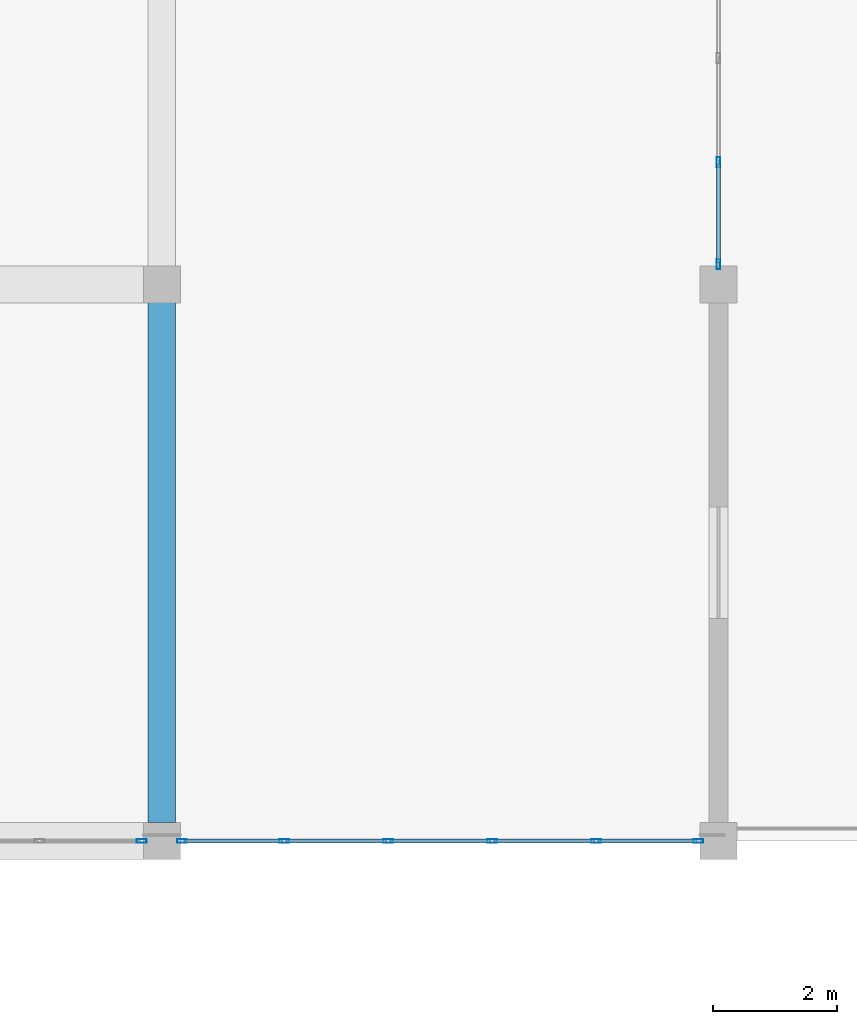
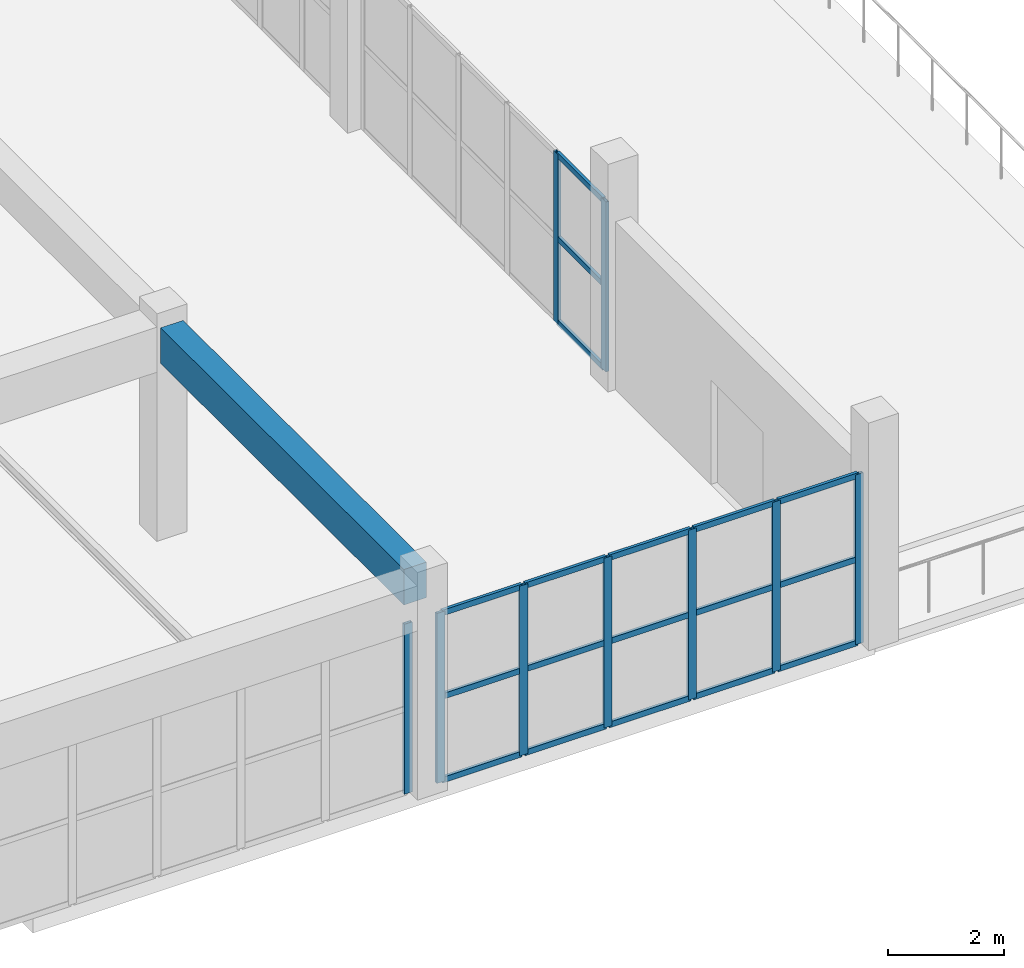
# One storey, part 41 of 89: 27 members, 1 beam, 3 elements without a shape of their own.
"""IFC4 building model written with IfcOpenShell, lengths in metres."""

from ifc_helpers import new_model, si_unit, direction, frame, origin, origin_2d, place, context, subcontext, project, spatial, rectangle, hollow_rectangle, extrude, material, layer, layer_set, material_profile, profile_set, type_object, element, aggregate, save


model = new_model("IFC4")

# Units and contexts
model_context = context("Model", 3, precision=1e-05, world=origin(), true_north=direction((0.0, 1.0)))
body_context = subcontext(model_context, "Body", "Model", "MODEL_VIEW")
ifc_project = project(units=[si_unit("LENGTHUNIT", "METRE"), si_unit("AREAUNIT", "SQUARE_METRE"), si_unit("VOLUMEUNIT", "CUBIC_METRE"), si_unit("PLANEANGLEUNIT", "RADIAN"), si_unit("MASSUNIT", "GRAM", prefix="KILO")], contexts=[model_context])

# Site, building, storey
site_placement = place(None, origin())
site = spatial("IfcSite", under=ifc_project, at=site_placement, CompositionType="ELEMENT")
building_placement = place(site_placement, origin())
building = spatial("IfcBuilding", under=site, at=building_placement, Name="Dornveld Trade and Exhibition Forum", CompositionType="ELEMENT")
storey_placement = place(building_placement, frame((0.0, 0.0, 12.0)))
storey = spatial("IfcBuildingStorey", under=building, at=storey_placement, Name="L02", CompositionType="ELEMENT", Elevation=12.0)

# Beam
ifc_material_1 = material(Name="Precast concrete C50/60", Category="concrete")
ifc_material_profile_1 = material_profile(ifc_material_1, rectangle(XDim=0.449951171875, YDim=0.75, at=origin_2d()), Name="PC-BM 450x750")
ifc_profile_set_1 = profile_set([ifc_material_profile_1], Name="Precast concrete C50/60")
beam_type = type_object("IfcBeamType", Name="BM-PC-450x750", PredefinedType="BEAM", material=ifc_profile_set_1)
beam_placement = place(storey_placement, frame((198.0, 108.2958984375, 4.10302734375), z_axis=(0.0, 1.0, 0.0), x_axis=(-1.0, 0.0, 0.0)))
element("IfcBeam", 1, at=beam_placement, inside=storey, type_object=beam_type, Name="L02 Y-girder 1599", PredefinedType="BEAM", context=body_context, shape_type="SweptSolid", body=[
    extrude(rectangle(XDim=0.449951171875, YDim=0.75, at=origin_2d()), origin(), (0.0, 0.0, 1.0), 8.408203125),
])

# Curtain wall, member
ifc_material_2 = material(Name="Dark-bronze anodised aluminium and low-E glass", Category="aluminium")
ifc_layer_1 = layer(ifc_material_2, 0.1630859375)
ifc_layer_set_1 = layer_set([ifc_layer_1], Name="Dark-bronze anodised aluminium and low-E glass")
curtain_wall_type_1 = type_object("IfcCurtainWallType", Name="CW-SYS-07", PredefinedType="USERDEFINED", material=ifc_layer_set_1)
curtain_wall_1_placement = place(storey_placement, origin())
curtain_wall_1 = element("IfcCurtainWall", 2, at=curtain_wall_1_placement, inside=storey, type_object=curtain_wall_type_1, Name="L02 unitised curtain wall 115", ObjectType="UNITISED_CURTAIN_WALL", PredefinedType="USERDEFINED")
ifc_material_3 = material(Name="Dark-bronze anodised aluminium", Category="aluminium")
ifc_material_profile_2 = material_profile(ifc_material_3, hollow_rectangle(XDim=0.06005859375, YDim=0.159912109375, WallThickness=0.00390625, at=origin_2d()), Name="RHS 160x60x4")
ifc_profile_set_2 = profile_set([ifc_material_profile_2], Name="Dark-bronze anodised aluminium")
member_type_1 = type_object("IfcMemberType", Name="CW-MUL-160", PredefinedType="MULLION", material=ifc_profile_set_2)
member_1_placement = place(storey_placement, frame((197.674072265625, 108.0, -0.00390625), z_axis=(0.0, 0.0, 1.0), x_axis=(0.0, 1.0, 0.0)))
member_1 = element("IfcMember", 3, at=member_1_placement, type_object=member_type_1, Name="CW-07 mullion 6", PredefinedType="MULLION", context=body_context, shape_type="SweptSolid", body=[
    extrude(hollow_rectangle(XDim=0.06005859375, YDim=0.159912109375, WallThickness=0.00390625, at=origin_2d()), origin(), (0.0, 0.0, 1.0), 3.583984375),
])
aggregate(curtain_wall_1, [member_1])

# Curtain wall, members
ifc_material_4 = material(Name="Dark-bronze anodised aluminium and low-E glass", Category="aluminium")
ifc_layer_2 = layer(ifc_material_4, 0.166015625)
ifc_layer_set_2 = layer_set([ifc_layer_2], Name="Dark-bronze anodised aluminium and low-E glass")
curtain_wall_type_2 = type_object("IfcCurtainWallType", Name="CW-SYS-08", PredefinedType="USERDEFINED", material=ifc_layer_set_2)
curtain_wall_2_placement = place(storey_placement, origin())
curtain_wall_2 = element("IfcCurtainWall", 4, at=curtain_wall_2_placement, inside=storey, type_object=curtain_wall_type_2, Name="L02 unitised curtain wall 116", ObjectType="UNITISED_CURTAIN_WALL", PredefinedType="USERDEFINED")
member_2_placement = place(storey_placement, frame((198.325927734375, 108.0, -0.00390625), z_axis=(0.0, 0.0, 1.0), x_axis=(0.0, 1.0, 0.0)))
member_2 = element("IfcMember", 5, at=member_2_placement, type_object=member_type_1, Name="CW-08 mullion 1", PredefinedType="MULLION", context=body_context, shape_type="SweptSolid", body=[
    extrude(hollow_rectangle(XDim=0.06005859375, YDim=0.159912109375, WallThickness=0.00390625, at=origin_2d()), origin(), (0.0, 0.0, 1.0), 3.583984375),
])
member_3_placement = place(storey_placement, frame((199.9775390625, 108.0, -0.00390625), z_axis=(0.0, 0.0, 1.0), x_axis=(0.0, 1.0, 0.0)))
member_3 = element("IfcMember", 6, at=member_3_placement, type_object=member_type_1, Name="CW-08 mullion 2", PredefinedType="MULLION", context=body_context, shape_type="SweptSolid", body=[
    extrude(hollow_rectangle(XDim=0.06005859375, YDim=0.159912109375, WallThickness=0.00390625, at=origin_2d()), origin(), (0.0, 0.0, 1.0), 3.583984375),
])
member_4_placement = place(storey_placement, frame((201.6591796875, 108.0, -0.00390625), z_axis=(0.0, 0.0, 1.0), x_axis=(0.0, 1.0, 0.0)))
member_4 = element("IfcMember", 7, at=member_4_placement, type_object=member_type_1, Name="CW-08 mullion 3", PredefinedType="MULLION", context=body_context, shape_type="SweptSolid", body=[
    extrude(hollow_rectangle(XDim=0.06005859375, YDim=0.159912109375, WallThickness=0.00390625, at=origin_2d()), origin(), (0.0, 0.0, 1.0), 3.583984375),
])
member_5_placement = place(storey_placement, frame((203.3408203125, 108.0, -0.00390625), z_axis=(0.0, 0.0, 1.0), x_axis=(0.0, 1.0, 0.0)))
member_5 = element("IfcMember", 8, at=member_5_placement, type_object=member_type_1, Name="CW-08 mullion 4", PredefinedType="MULLION", context=body_context, shape_type="SweptSolid", body=[
    extrude(hollow_rectangle(XDim=0.06005859375, YDim=0.159912109375, WallThickness=0.00390625, at=origin_2d()), origin(), (0.0, 0.0, 1.0), 3.583984375),
])
member_6_placement = place(storey_placement, frame((205.0224609375, 108.0, -0.00390625), z_axis=(0.0, 0.0, 1.0), x_axis=(0.0, 1.0, 0.0)))
member_6 = element("IfcMember", 9, at=member_6_placement, type_object=member_type_1, Name="CW-08 mullion 5", PredefinedType="MULLION", context=body_context, shape_type="SweptSolid", body=[
    extrude(hollow_rectangle(XDim=0.06005859375, YDim=0.159912109375, WallThickness=0.00390625, at=origin_2d()), origin(), (0.0, 0.0, 1.0), 3.583984375),
])
member_7_placement = place(storey_placement, frame((206.674072265625, 108.0, -0.00390625), z_axis=(0.0, 0.0, 1.0), x_axis=(0.0, 1.0, 0.0)))
member_7 = element("IfcMember", 10, at=member_7_placement, type_object=member_type_1, Name="CW-08 mullion 6", PredefinedType="MULLION", context=body_context, shape_type="SweptSolid", body=[
    extrude(hollow_rectangle(XDim=0.06005859375, YDim=0.159912109375, WallThickness=0.00390625, at=origin_2d()), origin(), (0.0, 0.0, 1.0), 3.583984375),
])

ifc_material_5 = material(Name="Dark-bronze anodised aluminium and low-E glass", Category="aluminium")
ifc_layer_3 = layer(ifc_material_5, 0.1689453125)
ifc_layer_set_3 = layer_set([ifc_layer_3], Name="Dark-bronze anodised aluminium and low-E glass")
curtain_wall_type_3 = type_object("IfcCurtainWallType", Name="CW-SYS-09", PredefinedType="USERDEFINED", material=ifc_layer_set_3)
curtain_wall_3_placement = place(storey_placement, origin())
curtain_wall_3 = element("IfcCurtainWall", 11, at=curtain_wall_3_placement, inside=storey, type_object=curtain_wall_type_3, Name="L02 unitised curtain wall 117", ObjectType="UNITISED_CURTAIN_WALL", PredefinedType="USERDEFINED")
member_8_placement = place(storey_placement, frame((207.0, 117.325927734375, -0.00390625), z_axis=(0.0, 0.0, 1.0), x_axis=(-1.0, 0.0, 0.0)))
member_8 = element("IfcMember", 12, at=member_8_placement, type_object=member_type_1, Name="CW-09 mullion 1", PredefinedType="MULLION", context=body_context, shape_type="SweptSolid", body=[
    extrude(hollow_rectangle(XDim=0.06005859375, YDim=0.159912109375, WallThickness=0.00390625, at=origin_2d()), origin(), (0.0, 0.0, 1.0), 3.583984375),
])
member_9_placement = place(storey_placement, frame((207.0, 118.9775390625, -0.00390625), z_axis=(0.0, 0.0, 1.0), x_axis=(-1.0, 0.0, 0.0)))
member_9 = element("IfcMember", 13, at=member_9_placement, type_object=member_type_1, Name="CW-09 mullion 2", PredefinedType="MULLION", context=body_context, shape_type="SweptSolid", body=[
    extrude(hollow_rectangle(XDim=0.06005859375, YDim=0.159912109375, WallThickness=0.00390625, at=origin_2d()), origin(), (0.0, 0.0, 1.0), 3.583984375),
])

# Member
ifc_material_6 = material(Name="Dark-bronze anodised aluminium", Category="aluminium")
ifc_material_profile_3 = material_profile(ifc_material_6, hollow_rectangle(XDim=0.06005859375, YDim=0.1201171875, WallThickness=0.00390625, at=origin_2d()), Name="RHS 120x60x4")
ifc_profile_set_3 = profile_set([ifc_material_profile_3], Name="Dark-bronze anodised aluminium")
member_type_2 = type_object("IfcMemberType", Name="CW-TRN-120", PredefinedType="USERDEFINED", material=ifc_profile_set_3)
member_10_placement = place(storey_placement, frame((198.35595703125, 108.0, 0.02587890625), z_axis=(1.0, 0.0, 0.0), x_axis=(0.0, 1.0, 0.0)))
member_10 = element("IfcMember", 14, at=member_10_placement, type_object=member_type_2, Name="CW-08 transom 1.1", ObjectType="TRANSOM", PredefinedType="USERDEFINED", context=body_context, shape_type="SweptSolid", body=[
    extrude(hollow_rectangle(XDim=0.06005859375, YDim=0.1201171875, WallThickness=0.00390625, at=origin_2d()), origin(), (0.0, 0.0, 1.0), 1.591552734375),
])

member_11_placement = place(storey_placement, frame((198.35595703125, 108.0, 1.7880859375), z_axis=(1.0, 0.0, 0.0), x_axis=(0.0, 1.0, 0.0)))
member_11 = element("IfcMember", 15, at=member_11_placement, type_object=member_type_2, Name="CW-08 transom 1.2", ObjectType="TRANSOM", PredefinedType="USERDEFINED", context=body_context, shape_type="SweptSolid", body=[
    extrude(hollow_rectangle(XDim=0.06005859375, YDim=0.1201171875, WallThickness=0.00390625, at=origin_2d()), origin(), (0.0, 0.0, 1.0), 1.591552734375),
])

member_12_placement = place(storey_placement, frame((198.35595703125, 108.0, 3.550048828125), z_axis=(1.0, 0.0, 0.0), x_axis=(0.0, 1.0, 0.0)))
member_12 = element("IfcMember", 16, at=member_12_placement, type_object=member_type_2, Name="CW-08 transom 1.3", ObjectType="TRANSOM", PredefinedType="USERDEFINED", context=body_context, shape_type="SweptSolid", body=[
    extrude(hollow_rectangle(XDim=0.06005859375, YDim=0.1201171875, WallThickness=0.00390625, at=origin_2d()), origin(), (0.0, 0.0, 1.0), 1.591552734375),
])

member_13_placement = place(storey_placement, frame((200.007568359375, 108.0, 0.02587890625), z_axis=(1.0, 0.0, 0.0), x_axis=(0.0, 1.0, 0.0)))
member_13 = element("IfcMember", 17, at=member_13_placement, type_object=member_type_2, Name="CW-08 transom 2.1", ObjectType="TRANSOM", PredefinedType="USERDEFINED", context=body_context, shape_type="SweptSolid", body=[
    extrude(hollow_rectangle(XDim=0.06005859375, YDim=0.1201171875, WallThickness=0.00390625, at=origin_2d()), origin(), (0.0, 0.0, 1.0), 1.62158203125),
])

member_14_placement = place(storey_placement, frame((200.007568359375, 108.0, 1.7880859375), z_axis=(1.0, 0.0, 0.0), x_axis=(0.0, 1.0, 0.0)))
member_14 = element("IfcMember", 18, at=member_14_placement, type_object=member_type_2, Name="CW-08 transom 2.2", ObjectType="TRANSOM", PredefinedType="USERDEFINED", context=body_context, shape_type="SweptSolid", body=[
    extrude(hollow_rectangle(XDim=0.06005859375, YDim=0.1201171875, WallThickness=0.00390625, at=origin_2d()), origin(), (0.0, 0.0, 1.0), 1.62158203125),
])

member_15_placement = place(storey_placement, frame((200.007568359375, 108.0, 3.550048828125), z_axis=(1.0, 0.0, 0.0), x_axis=(0.0, 1.0, 0.0)))
member_15 = element("IfcMember", 19, at=member_15_placement, type_object=member_type_2, Name="CW-08 transom 2.3", ObjectType="TRANSOM", PredefinedType="USERDEFINED", context=body_context, shape_type="SweptSolid", body=[
    extrude(hollow_rectangle(XDim=0.06005859375, YDim=0.1201171875, WallThickness=0.00390625, at=origin_2d()), origin(), (0.0, 0.0, 1.0), 1.62158203125),
])

member_16_placement = place(storey_placement, frame((201.689208984375, 108.0, 0.02587890625), z_axis=(1.0, 0.0, 0.0), x_axis=(0.0, 1.0, 0.0)))
member_16 = element("IfcMember", 20, at=member_16_placement, type_object=member_type_2, Name="CW-08 transom 3.1", ObjectType="TRANSOM", PredefinedType="USERDEFINED", context=body_context, shape_type="SweptSolid", body=[
    extrude(hollow_rectangle(XDim=0.06005859375, YDim=0.1201171875, WallThickness=0.00390625, at=origin_2d()), origin(), (0.0, 0.0, 1.0), 1.62158203125),
])

member_17_placement = place(storey_placement, frame((201.689208984375, 108.0, 1.7880859375), z_axis=(1.0, 0.0, 0.0), x_axis=(0.0, 1.0, 0.0)))
member_17 = element("IfcMember", 21, at=member_17_placement, type_object=member_type_2, Name="CW-08 transom 3.2", ObjectType="TRANSOM", PredefinedType="USERDEFINED", context=body_context, shape_type="SweptSolid", body=[
    extrude(hollow_rectangle(XDim=0.06005859375, YDim=0.1201171875, WallThickness=0.00390625, at=origin_2d()), origin(), (0.0, 0.0, 1.0), 1.62158203125),
])

member_18_placement = place(storey_placement, frame((201.689208984375, 108.0, 3.550048828125), z_axis=(1.0, 0.0, 0.0), x_axis=(0.0, 1.0, 0.0)))
member_18 = element("IfcMember", 22, at=member_18_placement, type_object=member_type_2, Name="CW-08 transom 3.3", ObjectType="TRANSOM", PredefinedType="USERDEFINED", context=body_context, shape_type="SweptSolid", body=[
    extrude(hollow_rectangle(XDim=0.06005859375, YDim=0.1201171875, WallThickness=0.00390625, at=origin_2d()), origin(), (0.0, 0.0, 1.0), 1.62158203125),
])

member_19_placement = place(storey_placement, frame((203.370849609375, 108.0, 0.02587890625), z_axis=(1.0, 0.0, 0.0), x_axis=(0.0, 1.0, 0.0)))
member_19 = element("IfcMember", 23, at=member_19_placement, type_object=member_type_2, Name="CW-08 transom 4.1", ObjectType="TRANSOM", PredefinedType="USERDEFINED", context=body_context, shape_type="SweptSolid", body=[
    extrude(hollow_rectangle(XDim=0.06005859375, YDim=0.1201171875, WallThickness=0.00390625, at=origin_2d()), origin(), (0.0, 0.0, 1.0), 1.62158203125),
])

member_20_placement = place(storey_placement, frame((203.370849609375, 108.0, 1.7880859375), z_axis=(1.0, 0.0, 0.0), x_axis=(0.0, 1.0, 0.0)))
member_20 = element("IfcMember", 24, at=member_20_placement, type_object=member_type_2, Name="CW-08 transom 4.2", ObjectType="TRANSOM", PredefinedType="USERDEFINED", context=body_context, shape_type="SweptSolid", body=[
    extrude(hollow_rectangle(XDim=0.06005859375, YDim=0.1201171875, WallThickness=0.00390625, at=origin_2d()), origin(), (0.0, 0.0, 1.0), 1.62158203125),
])

member_21_placement = place(storey_placement, frame((203.370849609375, 108.0, 3.550048828125), z_axis=(1.0, 0.0, 0.0), x_axis=(0.0, 1.0, 0.0)))
member_21 = element("IfcMember", 25, at=member_21_placement, type_object=member_type_2, Name="CW-08 transom 4.3", ObjectType="TRANSOM", PredefinedType="USERDEFINED", context=body_context, shape_type="SweptSolid", body=[
    extrude(hollow_rectangle(XDim=0.06005859375, YDim=0.1201171875, WallThickness=0.00390625, at=origin_2d()), origin(), (0.0, 0.0, 1.0), 1.62158203125),
])

member_22_placement = place(storey_placement, frame((205.052490234375, 108.0, 0.02587890625), z_axis=(1.0, 0.0, 0.0), x_axis=(0.0, 1.0, 0.0)))
member_22 = element("IfcMember", 26, at=member_22_placement, type_object=member_type_2, Name="CW-08 transom 5.1", ObjectType="TRANSOM", PredefinedType="USERDEFINED", context=body_context, shape_type="SweptSolid", body=[
    extrude(hollow_rectangle(XDim=0.06005859375, YDim=0.1201171875, WallThickness=0.00390625, at=origin_2d()), origin(), (0.0, 0.0, 1.0), 1.591552734375),
])

member_23_placement = place(storey_placement, frame((205.052490234375, 108.0, 1.7880859375), z_axis=(1.0, 0.0, 0.0), x_axis=(0.0, 1.0, 0.0)))
member_23 = element("IfcMember", 27, at=member_23_placement, type_object=member_type_2, Name="CW-08 transom 5.2", ObjectType="TRANSOM", PredefinedType="USERDEFINED", context=body_context, shape_type="SweptSolid", body=[
    extrude(hollow_rectangle(XDim=0.06005859375, YDim=0.1201171875, WallThickness=0.00390625, at=origin_2d()), origin(), (0.0, 0.0, 1.0), 1.591552734375),
])

member_24_placement = place(storey_placement, frame((205.052490234375, 108.0, 3.550048828125), z_axis=(1.0, 0.0, 0.0), x_axis=(0.0, 1.0, 0.0)))
member_24 = element("IfcMember", 28, at=member_24_placement, type_object=member_type_2, Name="CW-08 transom 5.3", ObjectType="TRANSOM", PredefinedType="USERDEFINED", context=body_context, shape_type="SweptSolid", body=[
    extrude(hollow_rectangle(XDim=0.06005859375, YDim=0.1201171875, WallThickness=0.00390625, at=origin_2d()), origin(), (0.0, 0.0, 1.0), 1.591552734375),
])

aggregate(curtain_wall_2, [member_2, member_3, member_4, member_5, member_6, member_7, member_10, member_11, member_12, member_13, member_14, member_15, member_16, member_17, member_18, member_19, member_20, member_21, member_22, member_23, member_24])

member_25_placement = place(storey_placement, frame((207.0, 117.35595703125, 0.02587890625), z_axis=(0.0, 1.0, 0.0), x_axis=(-1.0, 0.0, 0.0)))
member_25 = element("IfcMember", 29, at=member_25_placement, type_object=member_type_2, Name="CW-09 transom 1.1", ObjectType="TRANSOM", PredefinedType="USERDEFINED", context=body_context, shape_type="SweptSolid", body=[
    extrude(hollow_rectangle(XDim=0.06005859375, YDim=0.1201171875, WallThickness=0.00390625, at=origin_2d()), origin(), (0.0, 0.0, 1.0), 1.591552734375),
])

member_26_placement = place(storey_placement, frame((207.0, 117.35595703125, 1.7880859375), z_axis=(0.0, 1.0, 0.0), x_axis=(-1.0, 0.0, 0.0)))
member_26 = element("IfcMember", 30, at=member_26_placement, type_object=member_type_2, Name="CW-09 transom 1.2", ObjectType="TRANSOM", PredefinedType="USERDEFINED", context=body_context, shape_type="SweptSolid", body=[
    extrude(hollow_rectangle(XDim=0.06005859375, YDim=0.1201171875, WallThickness=0.00390625, at=origin_2d()), origin(), (0.0, 0.0, 1.0), 1.591552734375),
])

member_27_placement = place(storey_placement, frame((207.0, 117.35595703125, 3.550048828125), z_axis=(0.0, 1.0, 0.0), x_axis=(-1.0, 0.0, 0.0)))
member_27 = element("IfcMember", 31, at=member_27_placement, type_object=member_type_2, Name="CW-09 transom 1.3", ObjectType="TRANSOM", PredefinedType="USERDEFINED", context=body_context, shape_type="SweptSolid", body=[
    extrude(hollow_rectangle(XDim=0.06005859375, YDim=0.1201171875, WallThickness=0.00390625, at=origin_2d()), origin(), (0.0, 0.0, 1.0), 1.591552734375),
])

aggregate(curtain_wall_3, [member_8, member_9, member_25, member_26, member_27])

save(model, "model.ifc")
